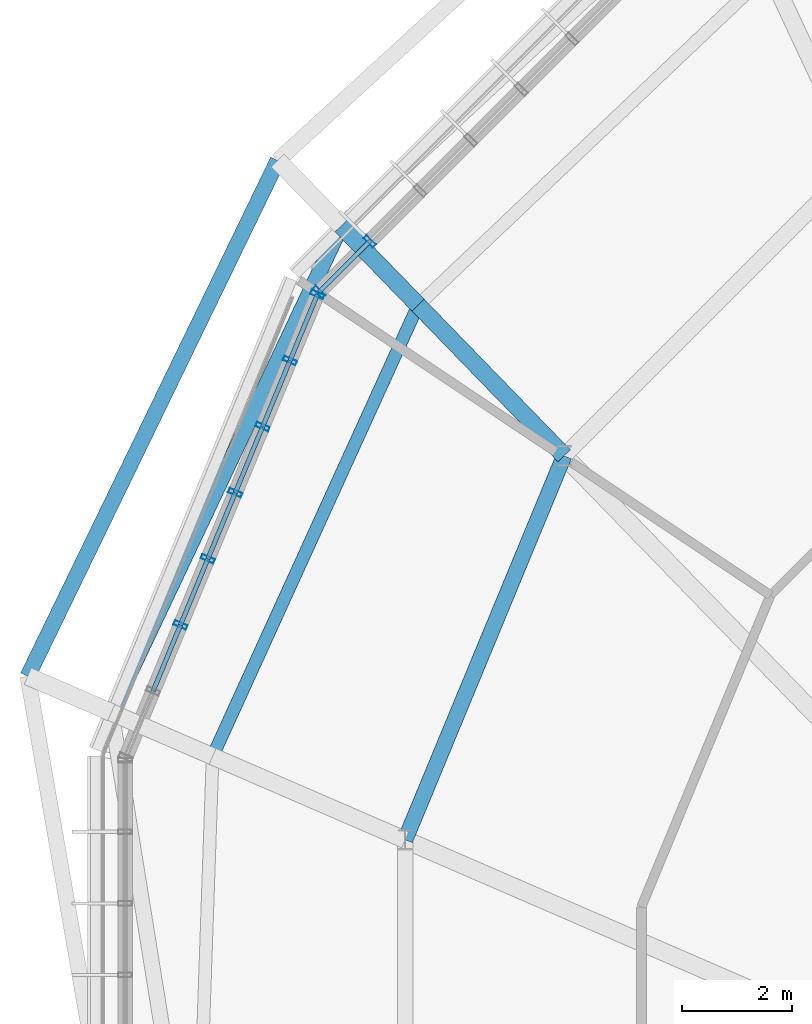
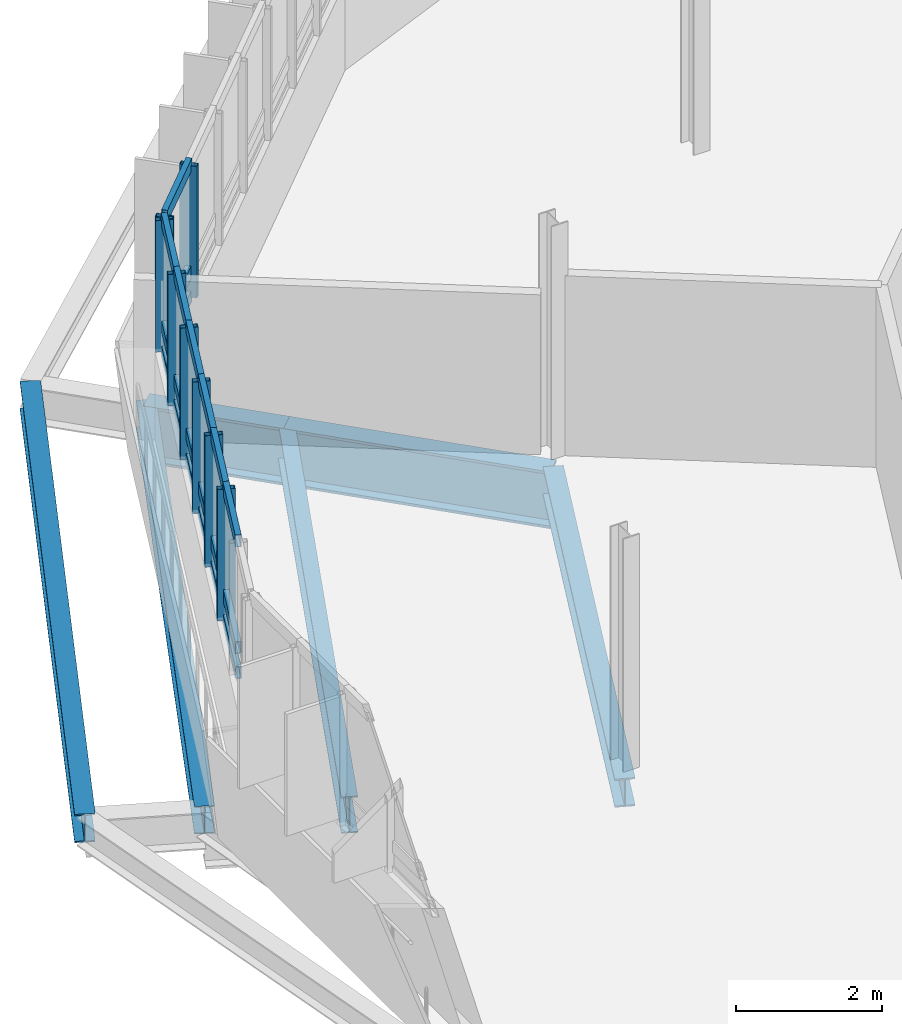
# One storey, part 15 of 38: 29 members, 6 beams, 2 elements without a shape of their own.
"""IFC4 building model written with IfcOpenShell, lengths in metres."""

import ifcopenshell
import ifcopenshell.guid

model = None  # the IFC model being written
_history = None  # IfcOwnerHistory: only IFC2X3 demands one
_inside = {}  # id of a spatial element -> (the spatial element, [elements in it])
_under = {}  # id of a project, library or spatial element -> (it, [spatial elements below it])
_declared = {}  # id of a project -> (the project, [libraries it declares])
_typed = {}  # id of a type object -> (the type object, [elements of that type])
_made_of = {}  # id of a material, layer set ... -> (it, [elements and type objects made of it])


def new_model(schema):
    """Start an empty IFC model of exactly this schema.

    Asked for "IFC4X3", IfcOpenShell would pick the latest addendum, in which some entities
    have other attributes; the version numbers below select the first issue.
    IFC2X3 requires an IfcOwnerHistory on every rooted entity: one is made here for all.
    """
    global model, _history
    if schema == "IFC4X3":
        model = ifcopenshell.file(schema_version=(4, 3, 0, 0))
    else:
        model = ifcopenshell.file(schema=schema)
    _inside.clear()
    _under.clear()
    _declared.clear()
    _typed.clear()
    _made_of.clear()
    _history = None
    if model.schema == "IFC2X3":
        org = make("IfcOrganization", Name="unknown")
        user = make(
            "IfcPersonAndOrganization",
            ThePerson=make("IfcPerson", FamilyName="unknown"),
            TheOrganization=org,
        )
        app = make(
            "IfcApplication",
            ApplicationDeveloper=org,
            Version="unknown",
            ApplicationFullName="unknown",
            ApplicationIdentifier="unknown",
        )
        _history = make(
            "IfcOwnerHistory",
            OwningUser=user,
            OwningApplication=app,
            ChangeAction="ADDED",
            CreationDate=0,
        )
    return model


def make(cls, **values):
    """One entity of the class cls with the attributes given. An attribute that is None is left unset."""
    return model.create_entity(
        cls, **{name: value for name, value in values.items() if value is not None}
    )


def rooted(cls, **values):
    """An entity with a GlobalId (a new one), such as an element, a storey or a relation."""
    return make(cls, GlobalId=ifcopenshell.guid.new(), OwnerHistory=_history, **values)


def si_unit(unit_type, name, prefix=None):
    """IfcSIUnit, for example si_unit("LENGTHUNIT", "METRE", prefix="MILLI")."""
    return make("IfcSIUnit", UnitType=unit_type, Prefix=prefix, Name=name)


def derived_unit(unit_type, elements):
    """IfcDerivedUnit: a product of units, each with its exponent."""
    return make(
        "IfcDerivedUnit",
        Elements=[
            make("IfcDerivedUnitElement", Unit=unit, Exponent=power)
            for unit, power in elements
        ],
        UnitType=unit_type,
    )


def assignment(units):
    """IfcUnitAssignment: the units of a project."""
    return None if units is None else make("IfcUnitAssignment", Units=units)


def point(xyz):
    """IfcCartesianPoint."""
    return None if xyz is None else make("IfcCartesianPoint", Coordinates=xyz)


def direction(xyz):
    """IfcDirection."""
    return None if xyz is None else make("IfcDirection", DirectionRatios=xyz)


def frame(location, z_axis=None, x_axis=None):
    """IfcAxis2Placement3D, a coordinate frame: its origin and axes. An axis left out is left unset."""
    return make(
        "IfcAxis2Placement3D",
        Location=point(location),
        Axis=direction(z_axis),
        RefDirection=direction(x_axis),
    )


def frame_2d(location, x_axis=None):
    """IfcAxis2Placement2D, a coordinate frame in the plane: its origin and x axis."""
    return make(
        "IfcAxis2Placement2D", Location=point(location), RefDirection=direction(x_axis)
    )


def origin():
    """The frame at (0, 0, 0) with its axes left unset."""
    return frame((0.0, 0.0, 0.0))


def origin_2d():
    """The frame at (0, 0) in the plane with its x axis left unset."""
    return frame_2d((0.0, 0.0))


def place(relative_to, where):
    """IfcLocalPlacement: puts the frame where relative to a parent placement (None: the world)."""
    return make(
        "IfcLocalPlacement", PlacementRelTo=relative_to, RelativePlacement=where
    )


def context(
    kind, dimensions, precision=None, world=None, true_north=None, identifier=None
):
    """IfcGeometricRepresentationContext, for example the 3D "Model" context."""
    return make(
        "IfcGeometricRepresentationContext",
        ContextIdentifier=identifier,
        ContextType=kind,
        CoordinateSpaceDimension=dimensions,
        Precision=precision,
        WorldCoordinateSystem=world,
        TrueNorth=true_north,
    )


def subcontext(parent, identifier, kind, view, scale=None):
    """IfcGeometricRepresentationSubContext, for example "Body" below "Model"."""
    return make(
        "IfcGeometricRepresentationSubContext",
        ContextIdentifier=identifier,
        ContextType=kind,
        ParentContext=parent,
        TargetScale=scale,
        TargetView=view,
    )


def project(units=None, contexts=None):
    """IfcProject with its units and contexts."""
    return rooted(
        "IfcProject",
        Name="project",
        RepresentationContexts=contexts,
        UnitsInContext=assignment(units),
    )


def spatial(cls, under=None, at=None, **own):
    """A site, building, storey or space (cls), placed at a placement, below another one or the project."""
    s = rooted(cls, ObjectPlacement=at, **own)
    if under is not None:
        _under.setdefault(under.id(), (under, []))[1].append(s)
    return s


def profile(cls, at=None, kind="AREA", **sizes):
    """A parametric profile (cls). Its sizes go by their IFC names, for example OverallWidth=200.0."""
    return make(cls, ProfileType=kind, Position=at, **sizes)


def hollow_rectangle(**sizes):
    """IfcRectangleHollowProfileDef."""
    return profile("IfcRectangleHollowProfileDef", **sizes)


def i_section(**sizes):
    """IfcIShapeProfileDef."""
    return profile("IfcIShapeProfileDef", **sizes)


def extrude(swept, where, along, depth):
    """IfcExtrudedAreaSolid: the profile swept, set in the frame where, extruded along a direction by depth."""
    return make(
        "IfcExtrudedAreaSolid",
        SweptArea=swept,
        Position=where,
        ExtrudedDirection=direction(along),
        Depth=depth,
    )


def shape(context_of_items, identifier, shape_type, items):
    """IfcShapeRepresentation: the items that make up one representation, for example the "Body"."""
    return make(
        "IfcShapeRepresentation",
        ContextOfItems=context_of_items,
        RepresentationIdentifier=identifier,
        RepresentationType=shape_type,
        Items=items,
    )


def material(Name=None, Category=None):
    """IfcMaterial."""
    return make("IfcMaterial", Name=Name, Category=Category)


def layer(
    of_material, thickness, ventilated=None, Name=None, Category=None, Priority=None
):
    """IfcMaterialLayer: one layer of a wall or slab, of a material (None: an air gap)."""
    return make(
        "IfcMaterialLayer",
        Material=of_material,
        LayerThickness=thickness,
        IsVentilated=ventilated,
        Name=Name,
        Category=Category,
        Priority=Priority,
    )


def layer_set(layers, Name=None):
    """IfcMaterialLayerSet."""
    return make("IfcMaterialLayerSet", MaterialLayers=layers, LayerSetName=Name)


def material_profile(
    of_material, cross_section, Name=None, Category=None, Priority=None
):
    """IfcMaterialProfile: a cross section and its material."""
    return make(
        "IfcMaterialProfile",
        Name=Name,
        Material=of_material,
        Profile=cross_section,
        Priority=Priority,
        Category=Category,
    )


def profile_set(profiles, Name=None, composite=None):
    """IfcMaterialProfileSet."""
    return make(
        "IfcMaterialProfileSet",
        Name=Name,
        MaterialProfiles=profiles,
        CompositeProfile=composite,
    )


def made_of(thing, what):
    """Note that an element or type object is made of a material, layer set ...; save() writes the relation."""
    if what is not None:
        _made_of.setdefault(what.id(), (what, []))[1].append(thing)
    return thing


def type_object(cls, material=None, **own):
    """A type object (cls), such as IfcWallType, which elements share."""
    return made_of(rooted(cls, **own), material)


def element(
    cls,
    number,
    at=None,
    inside=None,
    cuts=None,
    type_object=None,
    material=None,
    context=None,
    identifier="Body",
    shape_type=None,
    held_by="IfcProductDefinitionShape",
    body=None,
    shapes=None,
    **own,
):
    """One element of the class cls, such as IfcWall. Its Tag is "e" and its number.

    at: its placement. inside: the storey or other place that contains it. cuts: it is an
    opening in that element (IfcRelVoidsElement). A single representation is given by context,
    identifier, shape_type and body (its items); several are given by shapes. held_by: the class
    of the entity that holds the representations. save() writes the other relations.
    """
    e = rooted(cls, Tag="e%d" % number, ObjectPlacement=at, **own)
    if body is not None:
        shapes = [shape(context, identifier, shape_type, body)]
    if shapes is not None:
        e.Representation = make(held_by, Representations=shapes)
    if inside is not None:
        _inside.setdefault(inside.id(), (inside, []))[1].append(e)
    if cuts is not None:
        rooted(
            "IfcRelVoidsElement", RelatingBuildingElement=cuts, RelatedOpeningElement=e
        )
    if type_object is not None:
        _typed.setdefault(type_object.id(), (type_object, []))[1].append(e)
    return made_of(e, material)


def aggregate(whole, parts):
    """IfcRelAggregates: a whole, such as a stair, and the parts it consists of."""
    return rooted("IfcRelAggregates", RelatingObject=whole, RelatedObjects=parts)


def save(model, path):
    """Write the relations noted so far, then the file.

    IfcRelAggregates (storeys below a building ...), IfcRelContainedInSpatialStructure (elements
    in a storey), IfcRelDefinesByType, IfcRelAssociatesMaterial and IfcRelDeclares: one each for
    every whole, place, type object, material and project.
    """
    for whole, parts in _under.values():
        aggregate(whole, parts)
    for where, things in _inside.values():
        rooted(
            "IfcRelContainedInSpatialStructure",
            RelatedElements=things,
            RelatingStructure=where,
        )
    for kind, things in _typed.values():
        rooted("IfcRelDefinesByType", RelatedObjects=things, RelatingType=kind)
    for what, things in _made_of.values():
        rooted("IfcRelAssociatesMaterial", RelatedObjects=things, RelatingMaterial=what)
    for by, libraries in _declared.values():
        rooted("IfcRelDeclares", RelatingContext=by, RelatedDefinitions=libraries)
    model.write(path)


model = new_model("IFC4")

# Units and contexts
model_context = context("Model", 3, precision=1e-05, world=origin(), true_north=direction((0.0, 1.0)))
body_context = subcontext(model_context, "Body", "Model", "MODEL_VIEW")
ifc_project = project(units=[si_unit("LENGTHUNIT", "METRE"), si_unit("AREAUNIT", "SQUARE_METRE"), si_unit("VOLUMEUNIT", "CUBIC_METRE"), si_unit("PLANEANGLEUNIT", "RADIAN"), si_unit("MASSUNIT", "GRAM", prefix="KILO"), derived_unit("THERMALTRANSMITTANCEUNIT", [(si_unit("MASSUNIT", "GRAM", prefix="KILO"), 1), (si_unit("TIMEUNIT", "SECOND"), -3), (si_unit("THERMODYNAMICTEMPERATUREUNIT", "KELVIN"), -1)])], contexts=[model_context])

# Site, building, storey
site_placement = place(None, origin())
site = spatial("IfcSite", under=ifc_project, at=site_placement, CompositionType="ELEMENT")
building_placement = place(site_placement, origin())
building = spatial("IfcBuilding", under=site, at=building_placement, Name="Makaiwela Harbour Ferry Terminal", CompositionType="ELEMENT")
storey_placement = place(building_placement, frame((0.0, 0.0, 17.699951171875)))
storey = spatial("IfcBuildingStorey", under=building, at=storey_placement, Name="L04", CompositionType="ELEMENT", Elevation=17.699951171875)

# Curtain wall, members
ifc_material_1 = material(Name="Marine anodised aluminium 6063-T6", Category="aluminium")
ifc_layer = layer(ifc_material_1, 0.199951171875)
ifc_layer_set = layer_set([ifc_layer], Name="Marine anodised aluminium 6063-T6")
curtain_wall_type = type_object("IfcCurtainWallType", Name="ENV-CW-06", PredefinedType="USERDEFINED", material=ifc_layer_set)
curtain_wall_1_placement = place(storey_placement, origin())
curtain_wall_1 = element("IfcCurtainWall", 1, at=curtain_wall_1_placement, inside=storey, type_object=curtain_wall_type, Name="Unitised Curtain Wall CWA-048", ObjectType="UNITIZED CURTAIN WALL", PredefinedType="USERDEFINED")
ifc_material_profile_1 = material_profile(ifc_material_1, hollow_rectangle(XDim=0.0849609375, YDim=0.25, WallThickness=0.0048828125, at=origin_2d()), Name="CWM-250X85")
ifc_profile_set_1 = profile_set([ifc_material_profile_1], Name="Marine anodised aluminium 6063-T6")
member_type_1 = type_object("IfcMemberType", Name="CW-MUL-250", PredefinedType="MULLION", material=ifc_profile_set_1)
member_1_placement = place(storey_placement, frame((17.531005859375, 82.707763671875, 1.47998046875), z_axis=(0.0, 0.0, 1.0), x_axis=(0.707106781187, 0.707106781187, 0.0)))
member_1 = element("IfcMember", 2, at=member_1_placement, type_object=member_type_1, Name="Curtain Wall Mullion CWA-048-7", PredefinedType="MULLION", context=body_context, shape_type="SweptSolid", body=[
    extrude(hollow_rectangle(XDim=0.0849609375, YDim=0.25, WallThickness=0.0048828125, at=origin_2d()), origin(), (0.0, 0.0, 1.0), 2.199951171875),
])
member_2_placement = place(storey_placement, frame((16.61474609375, 81.79150390625, 1.47998046875), z_axis=(0.0, 0.0, 1.0), x_axis=(0.707106781187, 0.707106781187, 0.0)))
member_2 = element("IfcMember", 3, at=member_2_placement, type_object=member_type_1, Name="Curtain Wall Mullion CWA-048-8", PredefinedType="MULLION", context=body_context, shape_type="SweptSolid", body=[
    extrude(hollow_rectangle(XDim=0.0849609375, YDim=0.25, WallThickness=0.0048828125, at=origin_2d()), origin(), (0.0, 0.0, 1.0), 2.199951171875),
])

curtain_wall_2_placement = place(storey_placement, origin())
curtain_wall_2 = element("IfcCurtainWall", 4, at=curtain_wall_2_placement, inside=storey, type_object=curtain_wall_type, Name="Unitised Curtain Wall CWA-049", ObjectType="UNITIZED CURTAIN WALL", PredefinedType="USERDEFINED")
member_3_placement = place(storey_placement, frame((16.58203125, 81.74267578125, 1.47998046875), z_axis=(0.0, 0.0, 1.0), x_axis=(0.382683432365, 0.923879532511, 0.0)))
member_3 = element("IfcMember", 5, at=member_3_placement, type_object=member_type_1, Name="Curtain Wall Mullion CWA-049-1", PredefinedType="MULLION", context=body_context, shape_type="SweptSolid", body=[
    extrude(hollow_rectangle(XDim=0.0849609375, YDim=0.25, WallThickness=0.0048828125, at=origin_2d()), origin(), (0.0, 0.0, 1.0), 2.199951171875),
])
member_4_placement = place(storey_placement, frame((16.086181640625, 80.54541015625, 1.47998046875), z_axis=(0.0, 0.0, 1.0), x_axis=(0.382683432365, 0.923879532511, 0.0)))
member_4 = element("IfcMember", 6, at=member_4_placement, type_object=member_type_1, Name="Curtain Wall Mullion CWA-049-2", PredefinedType="MULLION", context=body_context, shape_type="SweptSolid", body=[
    extrude(hollow_rectangle(XDim=0.0849609375, YDim=0.25, WallThickness=0.0048828125, at=origin_2d()), origin(), (0.0, 0.0, 1.0), 2.199951171875),
])
member_5_placement = place(storey_placement, frame((15.59033203125, 79.348388671875, 1.47998046875), z_axis=(0.0, 0.0, 1.0), x_axis=(0.382683432365, 0.923879532511, 0.0)))
member_5 = element("IfcMember", 7, at=member_5_placement, type_object=member_type_1, Name="Curtain Wall Mullion CWA-049-3", PredefinedType="MULLION", context=body_context, shape_type="SweptSolid", body=[
    extrude(hollow_rectangle(XDim=0.0849609375, YDim=0.25, WallThickness=0.0048828125, at=origin_2d()), origin(), (0.0, 0.0, 1.0), 2.199951171875),
])
member_6_placement = place(storey_placement, frame((15.094482421875, 78.1513671875, 1.47998046875), z_axis=(0.0, 0.0, 1.0), x_axis=(0.382683432365, 0.923879532511, 0.0)))
member_6 = element("IfcMember", 8, at=member_6_placement, type_object=member_type_1, Name="Curtain Wall Mullion CWA-049-4", PredefinedType="MULLION", context=body_context, shape_type="SweptSolid", body=[
    extrude(hollow_rectangle(XDim=0.0849609375, YDim=0.25, WallThickness=0.0048828125, at=origin_2d()), origin(), (0.0, 0.0, 1.0), 2.199951171875),
])
member_7_placement = place(storey_placement, frame((14.5986328125, 76.9541015625, 1.47998046875), z_axis=(0.0, 0.0, 1.0), x_axis=(0.382683432365, 0.923879532511, 0.0)))
member_7 = element("IfcMember", 9, at=member_7_placement, type_object=member_type_1, Name="Curtain Wall Mullion CWA-049-5", PredefinedType="MULLION", context=body_context, shape_type="SweptSolid", body=[
    extrude(hollow_rectangle(XDim=0.0849609375, YDim=0.25, WallThickness=0.0048828125, at=origin_2d()), origin(), (0.0, 0.0, 1.0), 2.199951171875),
])
member_8_placement = place(storey_placement, frame((14.102783203125, 75.757080078125, 1.47998046875), z_axis=(0.0, 0.0, 1.0), x_axis=(0.382683432365, 0.923879532511, 0.0)))
member_8 = element("IfcMember", 10, at=member_8_placement, type_object=member_type_1, Name="Curtain Wall Mullion CWA-049-6", PredefinedType="MULLION", context=body_context, shape_type="SweptSolid", body=[
    extrude(hollow_rectangle(XDim=0.0849609375, YDim=0.25, WallThickness=0.0048828125, at=origin_2d()), origin(), (0.0, 0.0, 1.0), 2.199951171875),
])

# Member
ifc_material_profile_2 = material_profile(ifc_material_1, hollow_rectangle(XDim=0.0849609375, YDim=0.199951171875, WallThickness=0.0048828125, at=origin_2d()), Name="CWT-200X85")
ifc_profile_set_2 = profile_set([ifc_material_profile_2], Name="Marine anodised aluminium 6063-T6")
member_type_2 = type_object("IfcMemberType", Name="CW-TRN-200", PredefinedType="USERDEFINED", material=ifc_profile_set_2)
member_9_placement = place(storey_placement, frame((17.531005859375, 82.707763671875, 1.47998046875), z_axis=(-0.707106781187, -0.707106781187, 0.0), x_axis=(0.707106781187, -0.707106781187, 0.0)))
member_9 = element("IfcMember", 11, at=member_9_placement, type_object=member_type_2, Name="Curtain Wall Transom CWA-048-7-1", ObjectType="TRANSOM", PredefinedType="USERDEFINED", context=body_context, shape_type="SweptSolid", body=[
    extrude(hollow_rectangle(XDim=0.0849609375, YDim=0.199951171875, WallThickness=0.0048828125, at=origin_2d()), origin(), (0.0, 0.0, 1.0), 1.2958984375),
])

member_10_placement = place(storey_placement, frame((17.531005859375, 82.707763671875, 1.900146484375), z_axis=(-0.707106781187, -0.707106781187, 0.0), x_axis=(0.707106781187, -0.707106781187, 0.0)))
member_10 = element("IfcMember", 12, at=member_10_placement, type_object=member_type_2, Name="Curtain Wall Transom CWA-048-7-2", ObjectType="TRANSOM", PredefinedType="USERDEFINED", context=body_context, shape_type="SweptSolid", body=[
    extrude(hollow_rectangle(XDim=0.0849609375, YDim=0.199951171875, WallThickness=0.0048828125, at=origin_2d()), origin(), (0.0, 0.0, 1.0), 1.2958984375),
])

member_11_placement = place(storey_placement, frame((17.531005859375, 82.707763671875, 3.679931640625), z_axis=(-0.707106781187, -0.707106781187, 0.0), x_axis=(0.707106781187, -0.707106781187, 0.0)))
member_11 = element("IfcMember", 13, at=member_11_placement, type_object=member_type_2, Name="Curtain Wall Transom CWA-048-7-3", ObjectType="TRANSOM", PredefinedType="USERDEFINED", context=body_context, shape_type="SweptSolid", body=[
    extrude(hollow_rectangle(XDim=0.0849609375, YDim=0.199951171875, WallThickness=0.0048828125, at=origin_2d()), origin(), (0.0, 0.0, 1.0), 1.2958984375),
])

aggregate(curtain_wall_1, [member_1, member_2, member_9, member_10, member_11])

member_12_placement = place(storey_placement, frame((16.58203125, 81.74267578125, 1.47998046875), z_axis=(-0.382634657467, -0.923899734227, 0.0), x_axis=(0.923899734227, -0.382634657467, 0.0)))
member_12 = element("IfcMember", 14, at=member_12_placement, type_object=member_type_2, Name="Curtain Wall Transom CWA-049-1-1", ObjectType="TRANSOM", PredefinedType="USERDEFINED", context=body_context, shape_type="SweptSolid", body=[
    extrude(hollow_rectangle(XDim=0.0849609375, YDim=0.199951171875, WallThickness=0.0048828125, at=origin_2d()), origin(), (0.0, 0.0, 1.0), 1.2958984375),
])

member_13_placement = place(storey_placement, frame((16.58203125, 81.74267578125, 1.900146484375), z_axis=(-0.382634657467, -0.923899734227, 0.0), x_axis=(0.923899734227, -0.382634657467, 0.0)))
member_13 = element("IfcMember", 15, at=member_13_placement, type_object=member_type_2, Name="Curtain Wall Transom CWA-049-1-2", ObjectType="TRANSOM", PredefinedType="USERDEFINED", context=body_context, shape_type="SweptSolid", body=[
    extrude(hollow_rectangle(XDim=0.0849609375, YDim=0.199951171875, WallThickness=0.0048828125, at=origin_2d()), origin(), (0.0, 0.0, 1.0), 1.2958984375),
])

member_14_placement = place(storey_placement, frame((16.58203125, 81.74267578125, 3.679931640625), z_axis=(-0.382634657467, -0.923899734227, 0.0), x_axis=(0.923899734227, -0.382634657467, 0.0)))
member_14 = element("IfcMember", 16, at=member_14_placement, type_object=member_type_2, Name="Curtain Wall Transom CWA-049-1-3", ObjectType="TRANSOM", PredefinedType="USERDEFINED", context=body_context, shape_type="SweptSolid", body=[
    extrude(hollow_rectangle(XDim=0.0849609375, YDim=0.199951171875, WallThickness=0.0048828125, at=origin_2d()), origin(), (0.0, 0.0, 1.0), 1.2958984375),
])

member_15_placement = place(storey_placement, frame((16.086181640625, 80.54541015625, 1.47998046875), z_axis=(-0.382701269492, -0.92387214393, 0.0), x_axis=(0.92387214393, -0.382701269492, 0.0)))
member_15 = element("IfcMember", 17, at=member_15_placement, type_object=member_type_2, Name="Curtain Wall Transom CWA-049-2-1", ObjectType="TRANSOM", PredefinedType="USERDEFINED", context=body_context, shape_type="SweptSolid", body=[
    extrude(hollow_rectangle(XDim=0.0849609375, YDim=0.199951171875, WallThickness=0.0048828125, at=origin_2d()), origin(), (0.0, 0.0, 1.0), 1.295654296875),
])

member_16_placement = place(storey_placement, frame((16.086181640625, 80.54541015625, 1.900146484375), z_axis=(-0.382701269492, -0.92387214393, 0.0), x_axis=(0.92387214393, -0.382701269492, 0.0)))
member_16 = element("IfcMember", 18, at=member_16_placement, type_object=member_type_2, Name="Curtain Wall Transom CWA-049-2-2", ObjectType="TRANSOM", PredefinedType="USERDEFINED", context=body_context, shape_type="SweptSolid", body=[
    extrude(hollow_rectangle(XDim=0.0849609375, YDim=0.199951171875, WallThickness=0.0048828125, at=origin_2d()), origin(), (0.0, 0.0, 1.0), 1.295654296875),
])

member_17_placement = place(storey_placement, frame((16.086181640625, 80.54541015625, 3.679931640625), z_axis=(-0.382701269492, -0.92387214393, 0.0), x_axis=(0.92387214393, -0.382701269492, 0.0)))
member_17 = element("IfcMember", 19, at=member_17_placement, type_object=member_type_2, Name="Curtain Wall Transom CWA-049-2-3", ObjectType="TRANSOM", PredefinedType="USERDEFINED", context=body_context, shape_type="SweptSolid", body=[
    extrude(hollow_rectangle(XDim=0.0849609375, YDim=0.199951171875, WallThickness=0.0048828125, at=origin_2d()), origin(), (0.0, 0.0, 1.0), 1.295654296875),
])

member_18_placement = place(storey_placement, frame((15.59033203125, 79.348388671875, 1.47998046875), z_axis=(-0.382701269492, -0.92387214393, 0.0), x_axis=(0.92387214393, -0.382701269492, 0.0)))
member_18 = element("IfcMember", 20, at=member_18_placement, type_object=member_type_2, Name="Curtain Wall Transom CWA-049-3-1", ObjectType="TRANSOM", PredefinedType="USERDEFINED", context=body_context, shape_type="SweptSolid", body=[
    extrude(hollow_rectangle(XDim=0.0849609375, YDim=0.199951171875, WallThickness=0.0048828125, at=origin_2d()), origin(), (0.0, 0.0, 1.0), 1.295654296875),
])

member_19_placement = place(storey_placement, frame((15.59033203125, 79.348388671875, 1.900146484375), z_axis=(-0.382701269492, -0.92387214393, 0.0), x_axis=(0.92387214393, -0.382701269492, 0.0)))
member_19 = element("IfcMember", 21, at=member_19_placement, type_object=member_type_2, Name="Curtain Wall Transom CWA-049-3-2", ObjectType="TRANSOM", PredefinedType="USERDEFINED", context=body_context, shape_type="SweptSolid", body=[
    extrude(hollow_rectangle(XDim=0.0849609375, YDim=0.199951171875, WallThickness=0.0048828125, at=origin_2d()), origin(), (0.0, 0.0, 1.0), 1.295654296875),
])

member_20_placement = place(storey_placement, frame((15.59033203125, 79.348388671875, 3.679931640625), z_axis=(-0.382701269492, -0.92387214393, 0.0), x_axis=(0.92387214393, -0.382701269492, 0.0)))
member_20 = element("IfcMember", 22, at=member_20_placement, type_object=member_type_2, Name="Curtain Wall Transom CWA-049-3-3", ObjectType="TRANSOM", PredefinedType="USERDEFINED", context=body_context, shape_type="SweptSolid", body=[
    extrude(hollow_rectangle(XDim=0.0849609375, YDim=0.199951171875, WallThickness=0.0048828125, at=origin_2d()), origin(), (0.0, 0.0, 1.0), 1.295654296875),
])

member_21_placement = place(storey_placement, frame((15.094482421875, 78.1513671875, 1.47998046875), z_axis=(-0.382634657467, -0.923899734227, 0.0), x_axis=(0.923899734227, -0.382634657467, 0.0)))
member_21 = element("IfcMember", 23, at=member_21_placement, type_object=member_type_2, Name="Curtain Wall Transom CWA-049-4-1", ObjectType="TRANSOM", PredefinedType="USERDEFINED", context=body_context, shape_type="SweptSolid", body=[
    extrude(hollow_rectangle(XDim=0.0849609375, YDim=0.199951171875, WallThickness=0.0048828125, at=origin_2d()), origin(), (0.0, 0.0, 1.0), 1.2958984375),
])

member_22_placement = place(storey_placement, frame((15.094482421875, 78.1513671875, 1.900146484375), z_axis=(-0.382634657467, -0.923899734227, 0.0), x_axis=(0.923899734227, -0.382634657467, 0.0)))
member_22 = element("IfcMember", 24, at=member_22_placement, type_object=member_type_2, Name="Curtain Wall Transom CWA-049-4-2", ObjectType="TRANSOM", PredefinedType="USERDEFINED", context=body_context, shape_type="SweptSolid", body=[
    extrude(hollow_rectangle(XDim=0.0849609375, YDim=0.199951171875, WallThickness=0.0048828125, at=origin_2d()), origin(), (0.0, 0.0, 1.0), 1.2958984375),
])

member_23_placement = place(storey_placement, frame((15.094482421875, 78.1513671875, 3.679931640625), z_axis=(-0.382634657467, -0.923899734227, 0.0), x_axis=(0.923899734227, -0.382634657467, 0.0)))
member_23 = element("IfcMember", 25, at=member_23_placement, type_object=member_type_2, Name="Curtain Wall Transom CWA-049-4-3", ObjectType="TRANSOM", PredefinedType="USERDEFINED", context=body_context, shape_type="SweptSolid", body=[
    extrude(hollow_rectangle(XDim=0.0849609375, YDim=0.199951171875, WallThickness=0.0048828125, at=origin_2d()), origin(), (0.0, 0.0, 1.0), 1.2958984375),
])

member_24_placement = place(storey_placement, frame((14.5986328125, 76.9541015625, 1.47998046875), z_axis=(-0.382701269492, -0.92387214393, 0.0), x_axis=(0.92387214393, -0.382701269492, 0.0)))
member_24 = element("IfcMember", 26, at=member_24_placement, type_object=member_type_2, Name="Curtain Wall Transom CWA-049-5-1", ObjectType="TRANSOM", PredefinedType="USERDEFINED", context=body_context, shape_type="SweptSolid", body=[
    extrude(hollow_rectangle(XDim=0.0849609375, YDim=0.199951171875, WallThickness=0.0048828125, at=origin_2d()), origin(), (0.0, 0.0, 1.0), 1.295654296875),
])

member_25_placement = place(storey_placement, frame((14.5986328125, 76.9541015625, 1.900146484375), z_axis=(-0.382701269492, -0.92387214393, 0.0), x_axis=(0.92387214393, -0.382701269492, 0.0)))
member_25 = element("IfcMember", 27, at=member_25_placement, type_object=member_type_2, Name="Curtain Wall Transom CWA-049-5-2", ObjectType="TRANSOM", PredefinedType="USERDEFINED", context=body_context, shape_type="SweptSolid", body=[
    extrude(hollow_rectangle(XDim=0.0849609375, YDim=0.199951171875, WallThickness=0.0048828125, at=origin_2d()), origin(), (0.0, 0.0, 1.0), 1.295654296875),
])

member_26_placement = place(storey_placement, frame((14.5986328125, 76.9541015625, 3.679931640625), z_axis=(-0.382701269492, -0.92387214393, 0.0), x_axis=(0.92387214393, -0.382701269492, 0.0)))
member_26 = element("IfcMember", 28, at=member_26_placement, type_object=member_type_2, Name="Curtain Wall Transom CWA-049-5-3", ObjectType="TRANSOM", PredefinedType="USERDEFINED", context=body_context, shape_type="SweptSolid", body=[
    extrude(hollow_rectangle(XDim=0.0849609375, YDim=0.199951171875, WallThickness=0.0048828125, at=origin_2d()), origin(), (0.0, 0.0, 1.0), 1.295654296875),
])

member_27_placement = place(storey_placement, frame((14.102783203125, 75.757080078125, 1.47998046875), z_axis=(-0.382634657467, -0.923899734227, 0.0), x_axis=(0.923899734227, -0.382634657467, 0.0)))
member_27 = element("IfcMember", 29, at=member_27_placement, type_object=member_type_2, Name="Curtain Wall Transom CWA-049-6-1", ObjectType="TRANSOM", PredefinedType="USERDEFINED", context=body_context, shape_type="SweptSolid", body=[
    extrude(hollow_rectangle(XDim=0.0849609375, YDim=0.199951171875, WallThickness=0.0048828125, at=origin_2d()), origin(), (0.0, 0.0, 1.0), 1.2958984375),
])

member_28_placement = place(storey_placement, frame((14.102783203125, 75.757080078125, 1.900146484375), z_axis=(-0.382634657467, -0.923899734227, 0.0), x_axis=(0.923899734227, -0.382634657467, 0.0)))
member_28 = element("IfcMember", 30, at=member_28_placement, type_object=member_type_2, Name="Curtain Wall Transom CWA-049-6-2", ObjectType="TRANSOM", PredefinedType="USERDEFINED", context=body_context, shape_type="SweptSolid", body=[
    extrude(hollow_rectangle(XDim=0.0849609375, YDim=0.199951171875, WallThickness=0.0048828125, at=origin_2d()), origin(), (0.0, 0.0, 1.0), 1.2958984375),
])

member_29_placement = place(storey_placement, frame((14.102783203125, 75.757080078125, 3.679931640625), z_axis=(-0.382634657467, -0.923899734227, 0.0), x_axis=(0.923899734227, -0.382634657467, 0.0)))
member_29 = element("IfcMember", 31, at=member_29_placement, type_object=member_type_2, Name="Curtain Wall Transom CWA-049-6-3", ObjectType="TRANSOM", PredefinedType="USERDEFINED", context=body_context, shape_type="SweptSolid", body=[
    extrude(hollow_rectangle(XDim=0.0849609375, YDim=0.199951171875, WallThickness=0.0048828125, at=origin_2d()), origin(), (0.0, 0.0, 1.0), 1.2958984375),
])

aggregate(curtain_wall_2, [member_3, member_4, member_5, member_6, member_7, member_8, member_12, member_13, member_14, member_15, member_16, member_17, member_18, member_19, member_20, member_21, member_22, member_23, member_24, member_25, member_26, member_27, member_28, member_29])

# Beams
ifc_material_2 = material(Name="Steel ASTM A992 Grade 50", Category="steel")
ifc_material_profile_3 = material_profile(ifc_material_2, i_section(OverallWidth=0.280029296875, OverallDepth=0.462890625, WebThickness=0.0107421875, FlangeThickness=0.017333984375, at=origin_2d()), Name="W18X76")
ifc_profile_set_3 = profile_set([ifc_material_profile_3], Name="Steel ASTM A992 Grade 50")
beam_type_1 = type_object("IfcBeamType", Name="STR-BM-W18X76", PredefinedType="BEAM", material=ifc_profile_set_3)
beam_1_placement = place(storey_placement, frame((17.013427734375, 82.98486328125, -0.486572265625), z_axis=(-0.427213957475, -0.904150559663, 0.0), x_axis=(0.904150559663, -0.427213957475, 0.0)))
element("IfcBeam", 32, at=beam_1_placement, inside=storey, type_object=beam_type_1, Name="Drum stage2 tie girder 466", PredefinedType="BEAM", context=body_context, shape_type="SweptSolid", body=[
    extrude(i_section(OverallWidth=0.280029296875, OverallDepth=0.462890625, WebThickness=0.0107421875, FlangeThickness=0.017333984375, at=origin_2d()), origin(), (0.0, 0.0, 1.0), 9.746337890625),
])
ifc_material_profile_4 = material_profile(ifc_material_2, i_section(OverallWidth=0.22900390625, OverallDepth=0.612060546875, WebThickness=0.011962890625, FlangeThickness=0.01953125, at=origin_2d()), Name="W24X84")
ifc_profile_set_4 = profile_set([ifc_material_profile_4], Name="Steel ASTM A992 Grade 50")
beam_type_2 = type_object("IfcBeamType", Name="STR-GRD-W24X84", PredefinedType="USERDEFINED", material=ifc_profile_set_4)
beam_2_placement = place(storey_placement, frame((18.40625, 81.549560546875, -0.56103515625), z_axis=(-0.41443577564, -0.910078561372, 0.0), x_axis=(0.910078561372, -0.41443577564, 0.0)))
element("IfcBeam", 33, at=beam_2_placement, inside=storey, type_object=beam_type_2, Name="Drum overhang tie girder 465", ObjectType="GIRDER", PredefinedType="USERDEFINED", context=body_context, shape_type="SweptSolid", body=[
    extrude(i_section(OverallWidth=0.22900390625, OverallDepth=0.612060546875, WebThickness=0.011962890625, FlangeThickness=0.01953125, at=origin_2d()), origin(), (0.0, 0.0, 1.0), 8.980224609375),
])
ifc_material_profile_5 = material_profile(ifc_material_2, i_section(OverallWidth=0.31005859375, OverallDepth=0.949951171875, WebThickness=0.0244140625, FlangeThickness=0.0439453125, at=origin_2d()), Name="W36X256")
ifc_profile_set_5 = profile_set([ifc_material_profile_5], Name="Steel ASTM A992 Grade 50")
beam_type_3 = type_object("IfcBeamType", Name="STR-GRD-W36X256", PredefinedType="USERDEFINED", material=ifc_profile_set_5)
beam_3_placement = place(storey_placement, frame((21.052490234375, 78.822509765625, -0.72998046875), z_axis=(-0.696393637769, 0.717660017888, 0.0), x_axis=(-0.717660017888, -0.696393637769, 0.0)))
element("IfcBeam", 34, at=beam_3_placement, inside=storey, type_object=beam_type_3, Name="Drum radial overhang 421", ObjectType="GIRDER", PredefinedType="USERDEFINED", context=body_context, shape_type="SweptSolid", body=[
    extrude(i_section(OverallWidth=0.31005859375, OverallDepth=0.949951171875, WebThickness=0.0244140625, FlangeThickness=0.0439453125, at=origin_2d()), origin(), (0.0, 0.0, 1.0), 3.7998046875),
])
beam_4_placement = place(storey_placement, frame((18.40625, 81.549560546875, -0.72998046875), z_axis=(-0.696406971539, 0.717647078997, 0.0), x_axis=(-0.717647078997, -0.696406971539, 0.0)))
element("IfcBeam", 35, at=beam_4_placement, inside=storey, type_object=beam_type_3, Name="Drum overhang radial girder 422", ObjectType="GIRDER", PredefinedType="USERDEFINED", context=body_context, shape_type="SweptSolid", body=[
    extrude(i_section(OverallWidth=0.31005859375, OverallDepth=0.949951171875, WebThickness=0.0244140625, FlangeThickness=0.0439453125, at=origin_2d()), origin(), (0.0, 0.0, 1.0), 2.0),
])
ifc_material_profile_6 = material_profile(ifc_material_2, i_section(OverallWidth=0.283935546875, OverallDepth=0.47607421875, WebThickness=0.014892578125, FlangeThickness=0.02392578125, at=origin_2d()), Name="W18X106")
ifc_profile_set_6 = profile_set([ifc_material_profile_6], Name="Steel ASTM A992 Grade 50")
beam_type_4 = type_object("IfcBeamType", Name="STR-SPN-W18X106", PredefinedType="SPANDREL", material=ifc_profile_set_6)
beam_5_placement = place(storey_placement, frame((21.052490234375, 78.822509765625, -0.492919921875), z_axis=(-0.382660079618, -0.92388920519, 0.0), x_axis=(0.92388920519, -0.382660079618, 0.0)))
element("IfcBeam", 36, at=beam_5_placement, inside=storey, type_object=beam_type_4, Name="Drum column ring girder 387", PredefinedType="SPANDREL", context=body_context, shape_type="SweptSolid", body=[
    extrude(i_section(OverallWidth=0.283935546875, OverallDepth=0.47607421875, WebThickness=0.014892578125, FlangeThickness=0.02392578125, at=origin_2d()), origin(), (0.0, 0.0, 1.0), 7.530517578125),
])
beam_6_placement = place(storey_placement, frame((15.8642578125, 84.1689453125, -0.492919921875), z_axis=(-0.436285625328, -0.899808231309, 0.0), x_axis=(0.899808231309, -0.436285625328, 0.0)))
element("IfcBeam", 37, at=beam_6_placement, inside=storey, type_object=beam_type_4, Name="Drum perimeter spandrel 486", PredefinedType="SPANDREL", context=body_context, shape_type="SweptSolid", body=[
    extrude(i_section(OverallWidth=0.283935546875, OverallDepth=0.47607421875, WebThickness=0.014892578125, FlangeThickness=0.02392578125, at=origin_2d()), origin(), (0.0, 0.0, 1.0), 10.3798828125),
])

save(model, "model.ifc")
